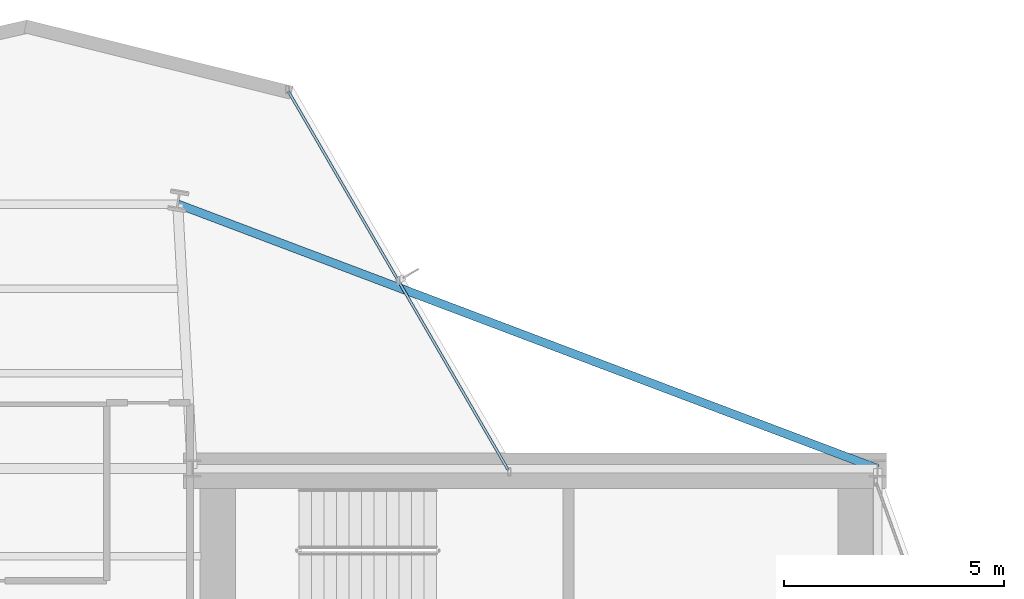
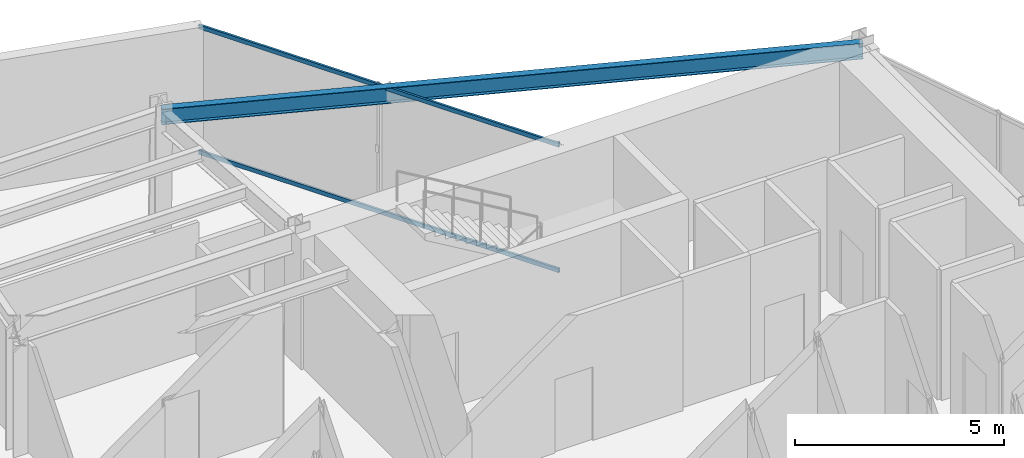
# One storey, part 16 of 25: 2 members, 1 beam, 1 element without a shape of its own.
"""IFC4 building model written with IfcOpenShell, lengths in metres."""

from ifc_helpers import new_model, si_unit, direction, frame, origin, origin_2d, place, context, subcontext, project, spatial, hollow_rectangle, i_section, extrude, material, layer, layer_set, material_profile, profile_set, type_object, element, aggregate, save


model = new_model("IFC4")

# Units and contexts
model_context = context("Model", 3, precision=1e-05, world=origin(), true_north=direction((0.0, 1.0)))
body_context = subcontext(model_context, "Body", "Model", "MODEL_VIEW")
ifc_project = project(units=[si_unit("LENGTHUNIT", "METRE"), si_unit("AREAUNIT", "SQUARE_METRE"), si_unit("VOLUMEUNIT", "CUBIC_METRE"), si_unit("PLANEANGLEUNIT", "RADIAN"), si_unit("MASSUNIT", "GRAM", prefix="KILO")], contexts=[model_context])

# Site, building, storey
site_placement = place(None, origin())
site = spatial("IfcSite", under=ifc_project, at=site_placement, CompositionType="ELEMENT")
building_placement = place(site_placement, origin())
building = spatial("IfcBuilding", under=site, at=building_placement, Name="Veymaron Broadcast Tower", CompositionType="ELEMENT")
storey_placement = place(building_placement, frame((0.0, 0.0, 173.550048828125)))
storey = spatial("IfcBuildingStorey", under=building, at=storey_placement, Name="L40", CompositionType="ELEMENT", Elevation=173.550048828125)

# Beam
ifc_material_1 = material(Name="Structural steel ASTM A992 Gr 50", Category="steel")
ifc_material_profile_1 = material_profile(ifc_material_1, i_section(OverallWidth=0.19091796875, OverallDepth=0.4599609375, WebThickness=0.010009765625, FlangeThickness=0.01611328125, at=origin_2d()), Name="W460X82")
ifc_profile_set_1 = profile_set([ifc_material_profile_1], Name="Structural steel ASTM A992 Gr 50")
beam_type = type_object("IfcBeamType", Name="BM-SP1", PredefinedType="SPANDREL", material=ifc_profile_set_1)
beam_placement = place(storey_placement, frame((54.60009765625, 32.0, 3.579833984375), z_axis=(-0.935434172434, 0.353500932167, 0.0), x_axis=(-0.353500932167, -0.935434172434, 0.0)))
element("IfcBeam", 1, at=beam_placement, inside=storey, type_object=beam_type, Name="L40 primary structural floor girder", PredefinedType="SPANDREL", context=body_context, shape_type="SweptSolid", body=[
    extrude(i_section(OverallWidth=0.19091796875, OverallDepth=0.4599609375, WebThickness=0.010009765625, FlangeThickness=0.01611328125, at=origin_2d()), origin(), (0.0, 0.0, 1.0), 17.02978515625),
])

# Curtain wall, members
ifc_material_2 = material(Name="Anodised aluminium AA 6063-T6 and laminated low-E dark glass", Category="aluminium")
ifc_layer = layer(ifc_material_2, 0.179931640625)
ifc_layer_set = layer_set([ifc_layer], Name="Anodised aluminium AA 6063-T6 and laminated low-E dark glass")
curtain_wall_type = type_object("IfcCurtainWallType", Name="CW-SYS-03", PredefinedType="NOTDEFINED", material=ifc_layer_set)
curtain_wall_placement = place(storey_placement, origin())
curtain_wall = element("IfcCurtainWall", 2, at=curtain_wall_placement, inside=storey, type_object=curtain_wall_type, Name="L40 dark-glass curtain wall CW-L40-E5-1", PredefinedType="NOTDEFINED")
ifc_material_3 = material(Name="Anodised aluminium AA 6063-T6", Category="aluminium")
ifc_material_profile_2 = material_profile(ifc_material_3, hollow_rectangle(XDim=0.06005859375, YDim=0.1201171875, WallThickness=0.00390625, at=origin_2d()), Name="AL120X60X4")
ifc_profile_set_2 = profile_set([ifc_material_profile_2], Name="Anodised aluminium AA 6063-T6")
member_type = type_object("IfcMemberType", Name="CW-TRN-02", PredefinedType="USERDEFINED", material=ifc_profile_set_2)
member_1_placement = place(storey_placement, frame((46.189208984375, 31.972900390625, 0.070068359375), z_axis=(-0.502084034237, 0.864818838003, 0.0), x_axis=(-0.864818838003, -0.502084034237, 0.0)))
member_1 = element("IfcMember", 3, at=member_1_placement, type_object=member_type, Name="CW-L40-E5-1 transom B", ObjectType="TRANSOM", PredefinedType="USERDEFINED", context=body_context, shape_type="SweptSolid", body=[
    extrude(hollow_rectangle(XDim=0.06005859375, YDim=0.1201171875, WallThickness=0.00390625, at=origin_2d()), origin(), (0.0, 0.0, 1.0), 9.953125),
])
member_2_placement = place(storey_placement, frame((46.189208984375, 31.972900390625, 3.739990234375), z_axis=(-0.502084034237, 0.864818838003, 0.0), x_axis=(-0.864818838003, -0.502084034237, 0.0)))
member_2 = element("IfcMember", 4, at=member_2_placement, type_object=member_type, Name="CW-L40-E5-1 transom T", ObjectType="TRANSOM", PredefinedType="USERDEFINED", context=body_context, shape_type="SweptSolid", body=[
    extrude(hollow_rectangle(XDim=0.06005859375, YDim=0.1201171875, WallThickness=0.00390625, at=origin_2d()), origin(), (0.0, 0.0, 1.0), 9.953125),
])
aggregate(curtain_wall, [member_1, member_2])

save(model, "model.ifc")
